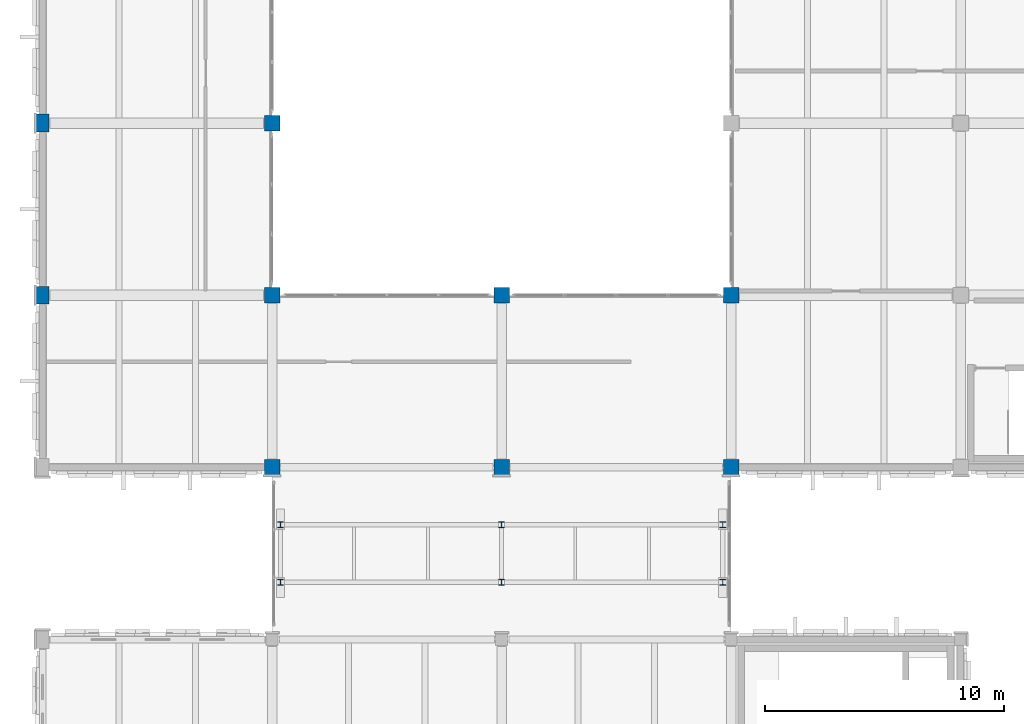
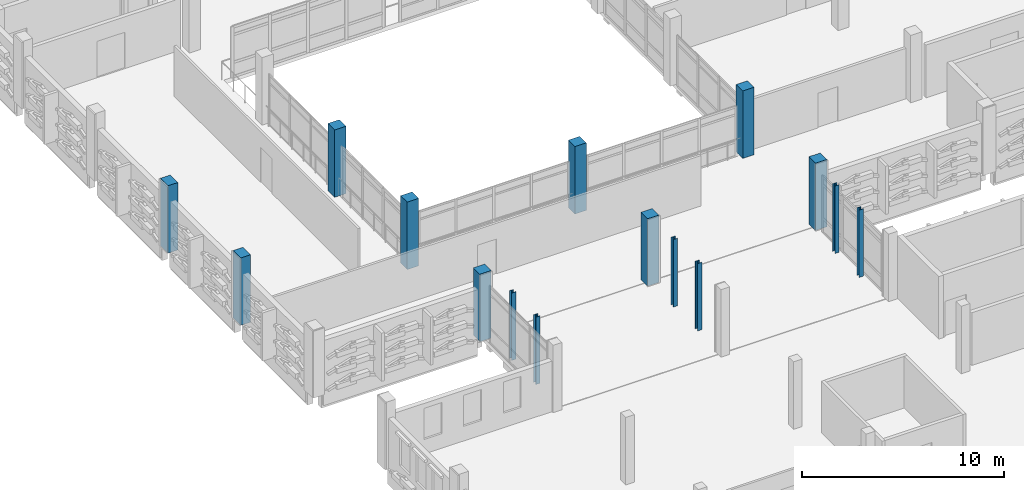
# One storey, part 2 of 72: 15 columns.
"""IFC4 building model written with IfcOpenShell, lengths in metres."""

from ifc_helpers import new_model, si_unit, direction, frame, origin, origin_2d, place, context, subcontext, project, spatial, rectangle, i_section, extrude, material, material_profile, profile_set, type_object, element, save


model = new_model("IFC4")

# Units and contexts
model_context = context("Model", 3, precision=1e-05, world=origin(), true_north=direction((0.0, 1.0)))
body_context = subcontext(model_context, "Body", "Model", "MODEL_VIEW")
ifc_project = project(units=[si_unit("LENGTHUNIT", "METRE"), si_unit("AREAUNIT", "SQUARE_METRE"), si_unit("VOLUMEUNIT", "CUBIC_METRE"), si_unit("PLANEANGLEUNIT", "RADIAN"), si_unit("MASSUNIT", "GRAM", prefix="KILO")], contexts=[model_context])

# Site, building, storey
site_placement = place(None, origin())
site = spatial("IfcSite", under=ifc_project, at=site_placement, CompositionType="ELEMENT")
building_placement = place(site_placement, origin())
building = spatial("IfcBuilding", under=site, at=building_placement, Name="Asteropetra Specialist Clinic", CompositionType="ELEMENT")
storey_placement = place(building_placement, frame((0.0, 0.0, 12.580078125)))
storey = spatial("IfcBuildingStorey", under=building, at=storey_placement, Name="L03", CompositionType="ELEMENT", Elevation=12.580078125)

# Columns
ifc_material_1 = material(Name="Concrete C35/45", Category="concrete")
ifc_material_profile_1 = material_profile(ifc_material_1, rectangle(XDim=0.550048828125, YDim=0.75, at=origin_2d()), Name="RC 550x750")
ifc_profile_set_1 = profile_set([ifc_material_profile_1], Name="Concrete C35/45")
column_type_1 = type_object("IfcColumnType", Name="COL-RC550x750", PredefinedType="COLUMN", material=ifc_profile_set_1)
for number, where, z_axis, x_axis, name in (
    (1, (0.0, 76.800048828125, 0.0), (0.0, 0.0, 1.0), (1.0, 0.0, 0.0), "Column CCOL10-0048"),
    (2, (0.0, 84.0, 0.0), (0.0, 0.0, 1.0), (1.0, 0.0, 0.0), "Column CCOL10-0054"),
):
    element("IfcColumn", number, at=place(storey_placement, frame(where, z_axis=z_axis, x_axis=x_axis)), inside=storey, type_object=column_type_1, Name=name, PredefinedType="COLUMN", context=body_context, shape_type="SweptSolid", body=[
        extrude(rectangle(XDim=0.550048828125, YDim=0.75, at=origin_2d()), origin(), (0.0, 0.0, 1.0), 4.079833984375),
    ])
ifc_material_2 = material(Name="Concrete C35/45", Category="concrete")
ifc_material_profile_2 = material_profile(ifc_material_2, rectangle(XDim=0.64990234375, YDim=0.64990234375, at=origin_2d()), Name="RC 650x650")
ifc_profile_set_2 = profile_set([ifc_material_profile_2], Name="Concrete C35/45")
column_type_2 = type_object("IfcColumnType", Name="COL-RC650", PredefinedType="COLUMN", material=ifc_profile_set_2)
for number, where, z_axis, x_axis, name in (
    (3, (9.60009765625, 69.60009765625, 0.0), (0.0, 0.0, 1.0), (1.0, 0.0, 0.0), "Column CCOL04-0124"),
    (4, (9.60009765625, 76.800048828125, 0.0), (0.0, 0.0, 1.0), (1.0, 0.0, 0.0), "Column CCOL04-0128"),
    (5, (9.60009765625, 84.0, 0.0), (0.0, 0.0, 1.0), (1.0, 0.0, 0.0), "Column CCOL04-0134"),
    (6, (19.199951171875, 69.60009765625, 0.0), (0.0, 0.0, 1.0), (1.0, 0.0, 0.0), "Column CCOL04-0236"),
    (7, (19.199951171875, 76.800048828125, 0.0), (0.0, 0.0, 1.0), (1.0, 0.0, 0.0), "Column CCOL04-0240"),
    (8, (28.800048828125, 69.60009765625, 0.0), (0.0, 0.0, 1.0), (1.0, 0.0, 0.0), "Column CCOL04-0320"),
    (9, (28.800048828125, 76.800048828125, 0.0), (0.0, 0.0, 1.0), (1.0, 0.0, 0.0), "Column CCOL04-0324"),
):
    element("IfcColumn", number, at=place(storey_placement, frame(where, z_axis=z_axis, x_axis=x_axis)), inside=storey, type_object=column_type_2, Name=name, PredefinedType="COLUMN", context=body_context, shape_type="SweptSolid", body=[
        extrude(rectangle(XDim=0.64990234375, YDim=0.64990234375, at=origin_2d()), origin(), (0.0, 0.0, 1.0), 4.079833984375),
    ])
ifc_material_3 = material(Name="Steel S355", Category="steel")
ifc_material_profile_3 = material_profile(ifc_material_3, i_section(OverallWidth=0.239990234375, OverallDepth=0.239990234375, WebThickness=0.010009765625, FlangeThickness=0.01708984375, FilletRadius=0.02099609375, at=origin_2d()), Name="HEB 240")
ifc_profile_set_3 = profile_set([ifc_material_profile_3], Name="Steel S355")
column_type_3 = type_object("IfcColumnType", Name="COL-STL-HEB240", PredefinedType="COLUMN", material=ifc_profile_set_3)
for number, where, z_axis, x_axis, name in (
    (10, (9.949951171875, 64.800048828125, 0.0), (0.0, 0.0, 1.0), (1.0, 0.0, 0.0), "Column CCOLS2-0172"),
    (11, (9.949951171875, 67.199951171875, 0.0), (0.0, 0.0, 1.0), (1.0, 0.0, 0.0), "Column CCOLS2-0176"),
    (12, (19.199951171875, 64.800048828125, 0.0), (0.0, 0.0, 1.0), (1.0, 0.0, 0.0), "Column CCOLS2-0228"),
    (13, (19.199951171875, 67.199951171875, 0.0), (0.0, 0.0, 1.0), (1.0, 0.0, 0.0), "Column CCOLS2-0232"),
    (14, (28.449951171875, 64.800048828125, 0.0), (0.0, 0.0, 1.0), (1.0, 0.0, 0.0), "Column CCOLS2-0272"),
    (15, (28.449951171875, 67.199951171875, 0.0), (0.0, 0.0, 1.0), (1.0, 0.0, 0.0), "Column CCOLS2-0276"),
):
    element("IfcColumn", number, at=place(storey_placement, frame(where, z_axis=z_axis, x_axis=x_axis)), inside=storey, type_object=column_type_3, Name=name, PredefinedType="COLUMN", context=body_context, shape_type="SweptSolid", body=[
        extrude(i_section(OverallWidth=0.239990234375, OverallDepth=0.239990234375, WebThickness=0.010009765625, FlangeThickness=0.01708984375, FilletRadius=0.02099609375, at=origin_2d()), origin(), (0.0, 0.0, 1.0), 4.079833984375),
    ])

save(model, "model.ifc")
